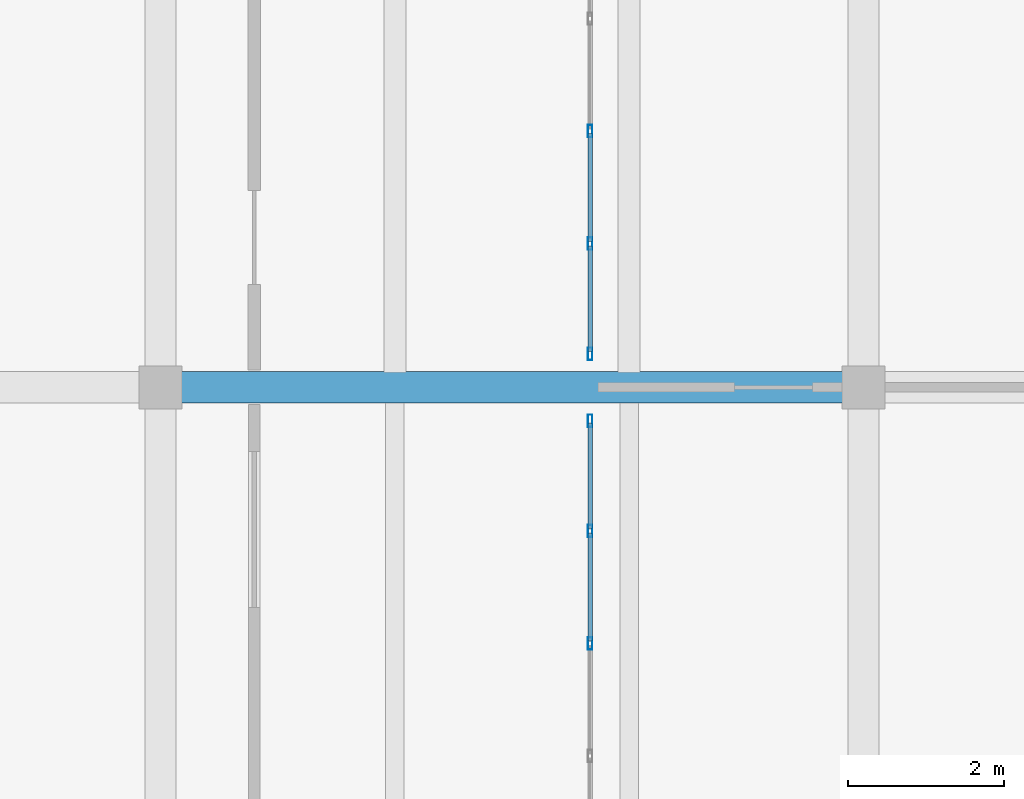
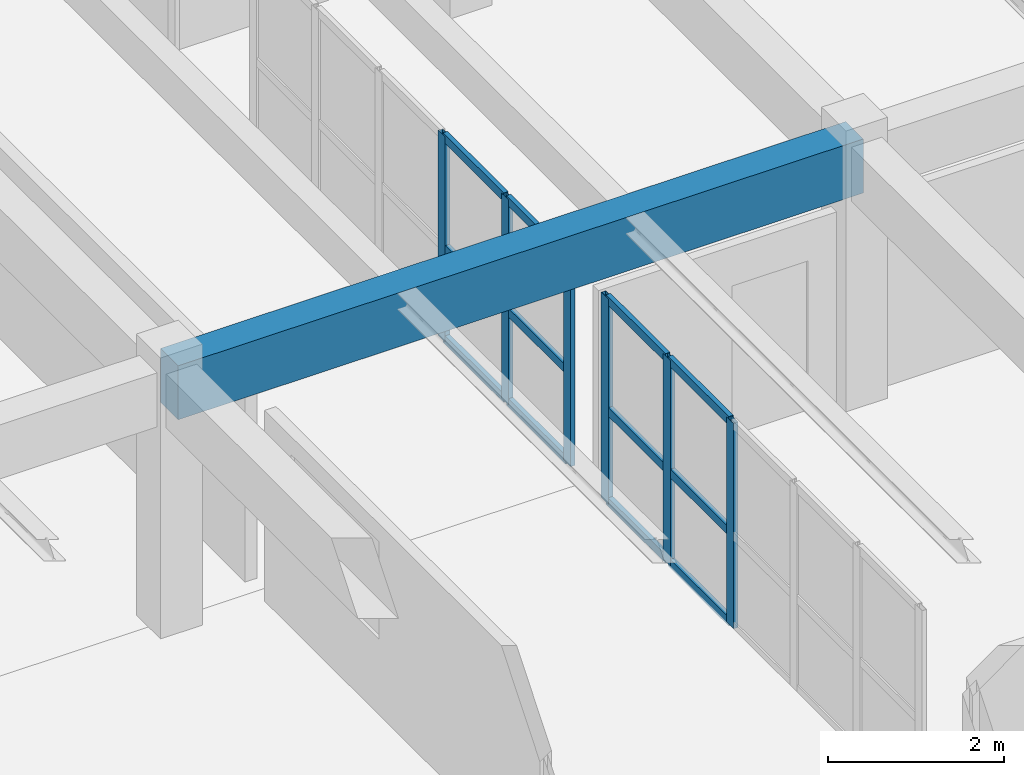
# One storey, part 83 of 156: 18 members, 1 beam, 2 elements without a shape of their own.
"""IFC4 building model written with IfcOpenShell, lengths in metres."""

from ifc_helpers import new_model, si_unit, direction, frame, origin, origin_2d, place, context, subcontext, project, spatial, rectangle, hollow_rectangle, extrude, material, layer, layer_set, material_profile, profile_set, type_object, element, aggregate, save


model = new_model("IFC4")

# Units and contexts
model_context = context("Model", 3, precision=1e-05, world=origin(), true_north=direction((0.0, 1.0)))
body_context = subcontext(model_context, "Body", "Model", "MODEL_VIEW")
ifc_project = project(units=[si_unit("LENGTHUNIT", "METRE"), si_unit("AREAUNIT", "SQUARE_METRE"), si_unit("VOLUMEUNIT", "CUBIC_METRE"), si_unit("PLANEANGLEUNIT", "RADIAN"), si_unit("MASSUNIT", "GRAM", prefix="KILO")], contexts=[model_context])

# Site, building, storey
site_placement = place(None, origin())
site = spatial("IfcSite", under=ifc_project, at=site_placement, CompositionType="ELEMENT")
building_placement = place(site_placement, origin())
building = spatial("IfcBuilding", under=site, at=building_placement, Name="Ornek Quay Market", CompositionType="ELEMENT")
storey_placement = place(building_placement, frame((0.0, 0.0, 4.5)))
storey = spatial("IfcBuildingStorey", under=building, at=storey_placement, Name="L01", CompositionType="ELEMENT", Elevation=4.5)

# Beam
ifc_material_1 = material(Name="Concrete C35/45", Category="concrete")
ifc_material_profile_1 = material_profile(ifc_material_1, rectangle(XDim=0.39990234375, YDim=0.75, at=origin_2d()), Name="RC 400x750", Category="concrete")
ifc_profile_set_1 = profile_set([ifc_material_profile_1], Name="Concrete C35/45")
beam_type = type_object("IfcBeamType", Name="BM-CS-400x750", PredefinedType="BEAM", material=ifc_profile_set_1)
beam_placement = place(storey_placement, frame((162.0, 38.0, 3.27490234375), z_axis=(1.0, 0.0, 0.0), x_axis=(0.0, 1.0, 0.0)))
element("IfcBeam", 1, at=beam_placement, inside=storey, type_object=beam_type, Name="Primary beam B-CS1-035", PredefinedType="BEAM", context=body_context, shape_type="SweptSolid", body=[
    extrude(rectangle(XDim=0.39990234375, YDim=0.75, at=origin_2d()), origin(), (0.0, 0.0, 1.0), 9.0),
])

# Curtain wall, members
ifc_material_2 = material(Name="Anodised bronze aluminium and triple low-e glass", Category="aluminium")
ifc_layer = layer(ifc_material_2, 0.139892578125, Name="Anodised bronze aluminium and triple low-e glass", Category="aluminium")
ifc_layer_set = layer_set([ifc_layer], Name="Anodised bronze aluminium and triple low-e glass")
curtain_wall_type = type_object("IfcCurtainWallType", Name="CW-GALLERY-INT", PredefinedType="USERDEFINED", material=ifc_layer_set)
curtain_wall_1_placement = place(storey_placement, origin())
curtain_wall_1 = element("IfcCurtainWall", 2, at=curtain_wall_1_placement, inside=storey, type_object=curtain_wall_type, Name="Curtain wall CW-163", ObjectType="CURTAIN WALL", PredefinedType="USERDEFINED")
ifc_material_3 = material(Name="Anodised aluminium 6063-T6", Category="aluminium")
ifc_material_profile_2 = material_profile(ifc_material_3, hollow_rectangle(XDim=0.06005859375, YDim=0.159912109375, WallThickness=0.00390625, at=origin_2d()), Name="CW-MUL-60x160", Category="aluminium")
ifc_profile_set_2 = profile_set([ifc_material_profile_2], Name="Anodised aluminium 6063-T6")
member_type_1 = type_object("IfcMemberType", Name="CW-MUL-60x160", PredefinedType="MULLION", material=ifc_profile_set_2)
member_1_placement = place(storey_placement, frame((167.5, 34.719970703125, 0.0), z_axis=(0.0, 0.0, 1.0), x_axis=(-1.0, 0.0, 0.0)))
member_1 = element("IfcMember", 3, at=member_1_placement, type_object=member_type_1, Name="CW-163 mullion 4", PredefinedType="MULLION", context=body_context, shape_type="SweptSolid", body=[
    extrude(hollow_rectangle(XDim=0.06005859375, YDim=0.159912109375, WallThickness=0.00390625, at=origin_2d()), origin(), (0.0, 0.0, 1.0), 2.85009765625),
])
member_2_placement = place(storey_placement, frame((167.5, 36.159912109375, 0.0), z_axis=(0.0, 0.0, 1.0), x_axis=(-1.0, 0.0, 0.0)))
member_2 = element("IfcMember", 4, at=member_2_placement, type_object=member_type_1, Name="CW-163 mullion 5", PredefinedType="MULLION", context=body_context, shape_type="SweptSolid", body=[
    extrude(hollow_rectangle(XDim=0.06005859375, YDim=0.159912109375, WallThickness=0.00390625, at=origin_2d()), origin(), (0.0, 0.0, 1.0), 2.85009765625),
])
member_3_placement = place(storey_placement, frame((167.5, 37.570068359375, 0.0), z_axis=(0.0, 0.0, 1.0), x_axis=(-1.0, 0.0, 0.0)))
member_3 = element("IfcMember", 5, at=member_3_placement, type_object=member_type_1, Name="CW-163 mullion 6", PredefinedType="MULLION", context=body_context, shape_type="SweptSolid", body=[
    extrude(hollow_rectangle(XDim=0.06005859375, YDim=0.159912109375, WallThickness=0.00390625, at=origin_2d()), origin(), (0.0, 0.0, 1.0), 2.85009765625),
])

curtain_wall_2_placement = place(storey_placement, origin())
curtain_wall_2 = element("IfcCurtainWall", 6, at=curtain_wall_2_placement, inside=storey, type_object=curtain_wall_type, Name="Curtain wall CW-164", ObjectType="CURTAIN WALL", PredefinedType="USERDEFINED")
member_4_placement = place(storey_placement, frame((167.5, 38.429931640625, 0.0), z_axis=(0.0, 0.0, 1.0), x_axis=(-1.0, 0.0, 0.0)))
member_4 = element("IfcMember", 7, at=member_4_placement, type_object=member_type_1, Name="CW-164 mullion 1", PredefinedType="MULLION", context=body_context, shape_type="SweptSolid", body=[
    extrude(hollow_rectangle(XDim=0.06005859375, YDim=0.159912109375, WallThickness=0.00390625, at=origin_2d()), origin(), (0.0, 0.0, 1.0), 2.85009765625),
])
member_5_placement = place(storey_placement, frame((167.5, 39.840087890625, 0.0), z_axis=(0.0, 0.0, 1.0), x_axis=(-1.0, 0.0, 0.0)))
member_5 = element("IfcMember", 8, at=member_5_placement, type_object=member_type_1, Name="CW-164 mullion 2", PredefinedType="MULLION", context=body_context, shape_type="SweptSolid", body=[
    extrude(hollow_rectangle(XDim=0.06005859375, YDim=0.159912109375, WallThickness=0.00390625, at=origin_2d()), origin(), (0.0, 0.0, 1.0), 2.85009765625),
])
member_6_placement = place(storey_placement, frame((167.5, 41.280029296875, 0.0), z_axis=(0.0, 0.0, 1.0), x_axis=(-1.0, 0.0, 0.0)))
member_6 = element("IfcMember", 9, at=member_6_placement, type_object=member_type_1, Name="CW-164 mullion 3", PredefinedType="MULLION", context=body_context, shape_type="SweptSolid", body=[
    extrude(hollow_rectangle(XDim=0.06005859375, YDim=0.159912109375, WallThickness=0.00390625, at=origin_2d()), origin(), (0.0, 0.0, 1.0), 2.85009765625),
])

# Member
ifc_material_profile_3 = material_profile(ifc_material_3, hollow_rectangle(XDim=0.06005859375, YDim=0.1201171875, WallThickness=0.00390625, at=origin_2d()), Name="CW-TRN-60x120", Category="aluminium")
ifc_profile_set_3 = profile_set([ifc_material_profile_3], Name="Anodised aluminium 6063-T6")
member_type_2 = type_object("IfcMemberType", Name="CW-TRN-60x120", PredefinedType="USERDEFINED", material=ifc_profile_set_3)
member_7_placement = place(storey_placement, frame((167.5, 34.75, 0.030029296875), z_axis=(0.0, 1.0, 0.0), x_axis=(-1.0, 0.0, 0.0)))
member_7 = element("IfcMember", 10, at=member_7_placement, type_object=member_type_2, Name="CW-163 transom 4.1", ObjectType="TRANSOM", PredefinedType="USERDEFINED", context=body_context, shape_type="SweptSolid", body=[
    extrude(hollow_rectangle(XDim=0.06005859375, YDim=0.1201171875, WallThickness=0.00390625, at=origin_2d()), origin(), (0.0, 0.0, 1.0), 1.3798828125),
])

member_8_placement = place(storey_placement, frame((167.5, 34.75, 1.282470703125), z_axis=(0.0, 1.0, 0.0), x_axis=(-1.0, 0.0, 0.0)))
member_8 = element("IfcMember", 11, at=member_8_placement, type_object=member_type_2, Name="CW-163 transom 4.2", ObjectType="TRANSOM", PredefinedType="USERDEFINED", context=body_context, shape_type="SweptSolid", body=[
    extrude(hollow_rectangle(XDim=0.06005859375, YDim=0.1201171875, WallThickness=0.00390625, at=origin_2d()), origin(), (0.0, 0.0, 1.0), 1.3798828125),
])

member_9_placement = place(storey_placement, frame((167.5, 34.75, 2.820068359375), z_axis=(0.0, 1.0, 0.0), x_axis=(-1.0, 0.0, 0.0)))
member_9 = element("IfcMember", 12, at=member_9_placement, type_object=member_type_2, Name="CW-163 transom 4.3", ObjectType="TRANSOM", PredefinedType="USERDEFINED", context=body_context, shape_type="SweptSolid", body=[
    extrude(hollow_rectangle(XDim=0.06005859375, YDim=0.1201171875, WallThickness=0.00390625, at=origin_2d()), origin(), (0.0, 0.0, 1.0), 1.3798828125),
])

member_10_placement = place(storey_placement, frame((167.5, 36.18994140625, 0.030029296875), z_axis=(0.0, 1.0, 0.0), x_axis=(-1.0, 0.0, 0.0)))
member_10 = element("IfcMember", 13, at=member_10_placement, type_object=member_type_2, Name="CW-163 transom 5.1", ObjectType="TRANSOM", PredefinedType="USERDEFINED", context=body_context, shape_type="SweptSolid", body=[
    extrude(hollow_rectangle(XDim=0.06005859375, YDim=0.1201171875, WallThickness=0.00390625, at=origin_2d()), origin(), (0.0, 0.0, 1.0), 1.35009765625),
])

member_11_placement = place(storey_placement, frame((167.5, 36.18994140625, 1.282470703125), z_axis=(0.0, 1.0, 0.0), x_axis=(-1.0, 0.0, 0.0)))
member_11 = element("IfcMember", 14, at=member_11_placement, type_object=member_type_2, Name="CW-163 transom 5.2", ObjectType="TRANSOM", PredefinedType="USERDEFINED", context=body_context, shape_type="SweptSolid", body=[
    extrude(hollow_rectangle(XDim=0.06005859375, YDim=0.1201171875, WallThickness=0.00390625, at=origin_2d()), origin(), (0.0, 0.0, 1.0), 1.35009765625),
])

member_12_placement = place(storey_placement, frame((167.5, 36.18994140625, 2.820068359375), z_axis=(0.0, 1.0, 0.0), x_axis=(-1.0, 0.0, 0.0)))
member_12 = element("IfcMember", 15, at=member_12_placement, type_object=member_type_2, Name="CW-163 transom 5.3", ObjectType="TRANSOM", PredefinedType="USERDEFINED", context=body_context, shape_type="SweptSolid", body=[
    extrude(hollow_rectangle(XDim=0.06005859375, YDim=0.1201171875, WallThickness=0.00390625, at=origin_2d()), origin(), (0.0, 0.0, 1.0), 1.35009765625),
])

aggregate(curtain_wall_1, [member_1, member_2, member_3, member_7, member_8, member_9, member_10, member_11, member_12])

member_13_placement = place(storey_placement, frame((167.5, 38.4599609375, 0.030029296875), z_axis=(0.0, 1.0, 0.0), x_axis=(-1.0, 0.0, 0.0)))
member_13 = element("IfcMember", 16, at=member_13_placement, type_object=member_type_2, Name="CW-164 transom 1.1", ObjectType="TRANSOM", PredefinedType="USERDEFINED", context=body_context, shape_type="SweptSolid", body=[
    extrude(hollow_rectangle(XDim=0.06005859375, YDim=0.1201171875, WallThickness=0.00390625, at=origin_2d()), origin(), (0.0, 0.0, 1.0), 1.35009765625),
])

member_14_placement = place(storey_placement, frame((167.5, 38.4599609375, 1.282470703125), z_axis=(0.0, 1.0, 0.0), x_axis=(-1.0, 0.0, 0.0)))
member_14 = element("IfcMember", 17, at=member_14_placement, type_object=member_type_2, Name="CW-164 transom 1.2", ObjectType="TRANSOM", PredefinedType="USERDEFINED", context=body_context, shape_type="SweptSolid", body=[
    extrude(hollow_rectangle(XDim=0.06005859375, YDim=0.1201171875, WallThickness=0.00390625, at=origin_2d()), origin(), (0.0, 0.0, 1.0), 1.35009765625),
])

member_15_placement = place(storey_placement, frame((167.5, 38.4599609375, 2.820068359375), z_axis=(0.0, 1.0, 0.0), x_axis=(-1.0, 0.0, 0.0)))
member_15 = element("IfcMember", 18, at=member_15_placement, type_object=member_type_2, Name="CW-164 transom 1.3", ObjectType="TRANSOM", PredefinedType="USERDEFINED", context=body_context, shape_type="SweptSolid", body=[
    extrude(hollow_rectangle(XDim=0.06005859375, YDim=0.1201171875, WallThickness=0.00390625, at=origin_2d()), origin(), (0.0, 0.0, 1.0), 1.35009765625),
])

member_16_placement = place(storey_placement, frame((167.5, 39.8701171875, 0.030029296875), z_axis=(0.0, 1.0, 0.0), x_axis=(-1.0, 0.0, 0.0)))
member_16 = element("IfcMember", 19, at=member_16_placement, type_object=member_type_2, Name="CW-164 transom 2.1", ObjectType="TRANSOM", PredefinedType="USERDEFINED", context=body_context, shape_type="SweptSolid", body=[
    extrude(hollow_rectangle(XDim=0.06005859375, YDim=0.1201171875, WallThickness=0.00390625, at=origin_2d()), origin(), (0.0, 0.0, 1.0), 1.3798828125),
])

member_17_placement = place(storey_placement, frame((167.5, 39.8701171875, 1.282470703125), z_axis=(0.0, 1.0, 0.0), x_axis=(-1.0, 0.0, 0.0)))
member_17 = element("IfcMember", 20, at=member_17_placement, type_object=member_type_2, Name="CW-164 transom 2.2", ObjectType="TRANSOM", PredefinedType="USERDEFINED", context=body_context, shape_type="SweptSolid", body=[
    extrude(hollow_rectangle(XDim=0.06005859375, YDim=0.1201171875, WallThickness=0.00390625, at=origin_2d()), origin(), (0.0, 0.0, 1.0), 1.3798828125),
])

member_18_placement = place(storey_placement, frame((167.5, 39.8701171875, 2.820068359375), z_axis=(0.0, 1.0, 0.0), x_axis=(-1.0, 0.0, 0.0)))
member_18 = element("IfcMember", 21, at=member_18_placement, type_object=member_type_2, Name="CW-164 transom 2.3", ObjectType="TRANSOM", PredefinedType="USERDEFINED", context=body_context, shape_type="SweptSolid", body=[
    extrude(hollow_rectangle(XDim=0.06005859375, YDim=0.1201171875, WallThickness=0.00390625, at=origin_2d()), origin(), (0.0, 0.0, 1.0), 1.3798828125),
])

aggregate(curtain_wall_2, [member_4, member_5, member_6, member_13, member_14, member_15, member_16, member_17, member_18])

save(model, "model.ifc")
